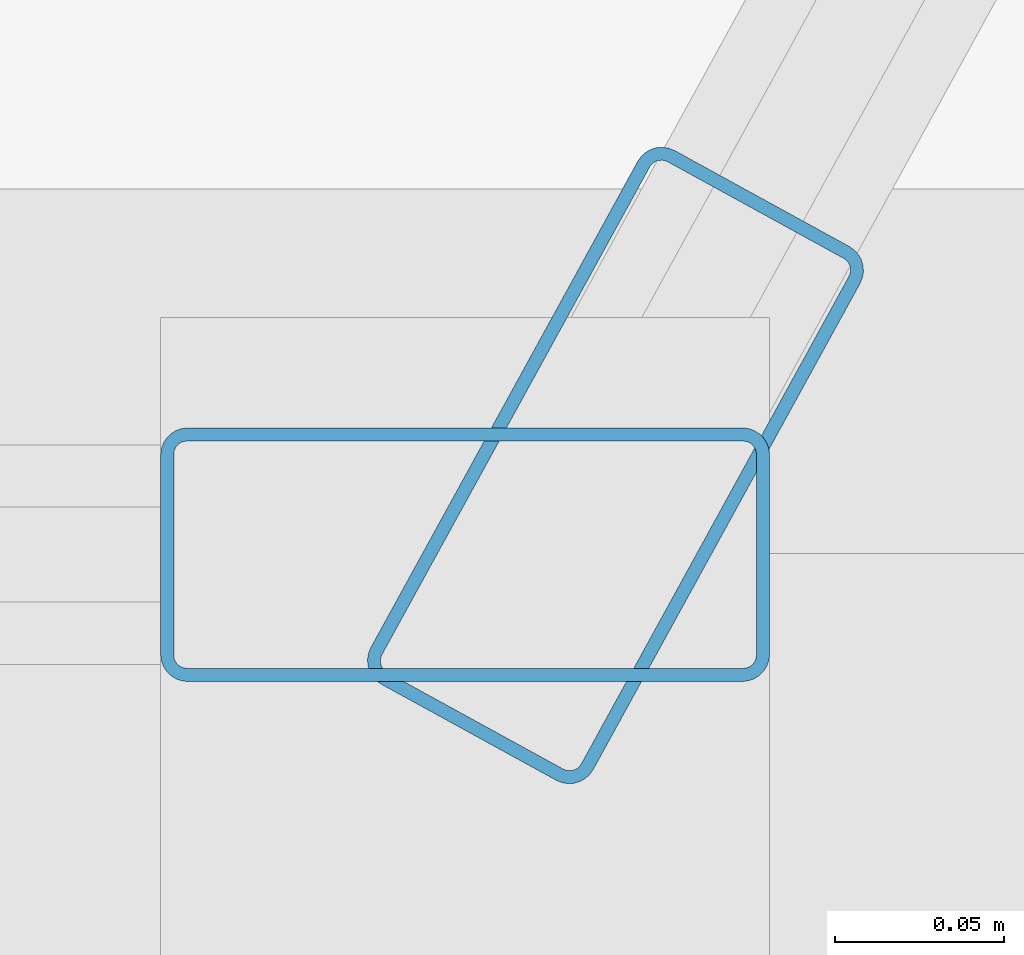
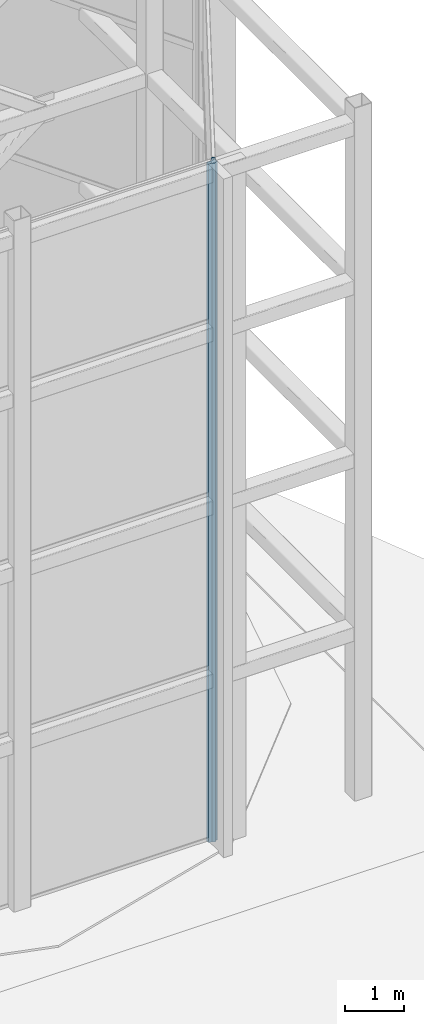
# One storey, part 12 of 24: 2 members, 2 elements without a shape of their own.
"""IFC4 building model written with IfcOpenShell, lengths in metres."""

from ifc_helpers import new_model, si_unit, direction, frame, origin, origin_2d, place, context, subcontext, project, spatial, hollow_rectangle, extrude, material, layer, layer_set, material_profile, profile_set, type_object, element, aggregate, save


model = new_model("IFC4")

# Units and contexts
model_context = context("Model", 3, precision=1e-05, world=origin(), true_north=direction((0.0, 1.0)))
body_context = subcontext(model_context, "Body", "Model", "MODEL_VIEW")
ifc_project = project(units=[si_unit("LENGTHUNIT", "METRE"), si_unit("AREAUNIT", "SQUARE_METRE"), si_unit("VOLUMEUNIT", "CUBIC_METRE"), si_unit("PLANEANGLEUNIT", "RADIAN"), si_unit("MASSUNIT", "GRAM", prefix="KILO")], contexts=[model_context])

# Site, building, storey
site_placement = place(None, origin())
site = spatial("IfcSite", under=ifc_project, at=site_placement, CompositionType="ELEMENT")
building_placement = place(site_placement, origin())
building = spatial("IfcBuilding", under=site, at=building_placement, Name="Solvaryn Broadcast Tower", CompositionType="ELEMENT")
storey_placement = place(building_placement, frame((0.0, 0.0, 307.800048828125)))
storey = spatial("IfcBuildingStorey", under=building, at=storey_placement, Name="Roof Main", CompositionType="ELEMENT", Elevation=307.800048828125)

# Curtain wall, member
ifc_material_1 = material(Name="Aluminium and Terracotta Unitised Curtain Wall", Category="masonry")
ifc_layer = layer(ifc_material_1, 0.2099609375)
ifc_layer_set = layer_set([ifc_layer], Name="CW-SYS6-CROWN")
curtain_wall_type = type_object("IfcCurtainWallType", Name="CW-SYS6-CROWN", PredefinedType="NOTDEFINED", material=ifc_layer_set)
curtain_wall_1_placement = place(storey_placement, origin())
curtain_wall_1 = element("IfcCurtainWall", 1, at=curtain_wall_1_placement, inside=storey, type_object=curtain_wall_type, Name="Roof Main Split-Top Crown Curtain Wall W5", PredefinedType="NOTDEFINED")
ifc_material_2 = material(Name="Anodised Aluminium 6063-T6", Category="aluminium")
ifc_material_profile = material_profile(ifc_material_2, hollow_rectangle(XDim=0.074951171875, YDim=0.179931640625, WallThickness=0.00390625, InnerFilletRadius=0.00390625, OuterFilletRadius=0.008056640625, at=origin_2d()))
ifc_profile_set = profile_set([ifc_material_profile], Name="Anodised Aluminium 6063-T6")
member_type = type_object("IfcMemberType", Name="CW-MUL-180", PredefinedType="MULLION", material=ifc_profile_set)
member_1_placement = place(storey_placement, frame((21.7451171875, 28.241943359375, 0.0), z_axis=(0.0, 0.0, 1.0), x_axis=(0.0, 1.0, 0.0)))
member_1 = element("IfcMember", 2, at=member_1_placement, type_object=member_type, Name="CWS6 mullion 2", PredefinedType="MULLION", context=body_context, shape_type="SweptSolid", body=[
    extrude(hollow_rectangle(XDim=0.074951171875, YDim=0.179931640625, WallThickness=0.00390625, InnerFilletRadius=0.00390625, OuterFilletRadius=0.008056640625, at=origin_2d()), origin(), (0.0, 0.0, 1.0), 14.099853515625),
])
aggregate(curtain_wall_1, [member_1])

curtain_wall_2_placement = place(storey_placement, origin())
curtain_wall_2 = element("IfcCurtainWall", 3, at=curtain_wall_2_placement, inside=storey, type_object=curtain_wall_type, Name="Roof Main Split-Top Crown Curtain Wall W6", PredefinedType="NOTDEFINED")
member_2_placement = place(storey_placement, frame((21.78955078125, 28.268310546875, 0.0), z_axis=(0.0, 0.0, 1.0), x_axis=(-0.876577523452, 0.481260683391, 0.0)))
member_2 = element("IfcMember", 4, at=member_2_placement, type_object=member_type, Name="CWS6 mullion 1", PredefinedType="MULLION", context=body_context, shape_type="SweptSolid", body=[
    extrude(hollow_rectangle(XDim=0.074951171875, YDim=0.179931640625, WallThickness=0.00390625, InnerFilletRadius=0.00390625, OuterFilletRadius=0.008056640625, at=origin_2d()), origin(), (0.0, 0.0, 1.0), 14.099853515625),
])
aggregate(curtain_wall_2, [member_2])

save(model, "model.ifc")
